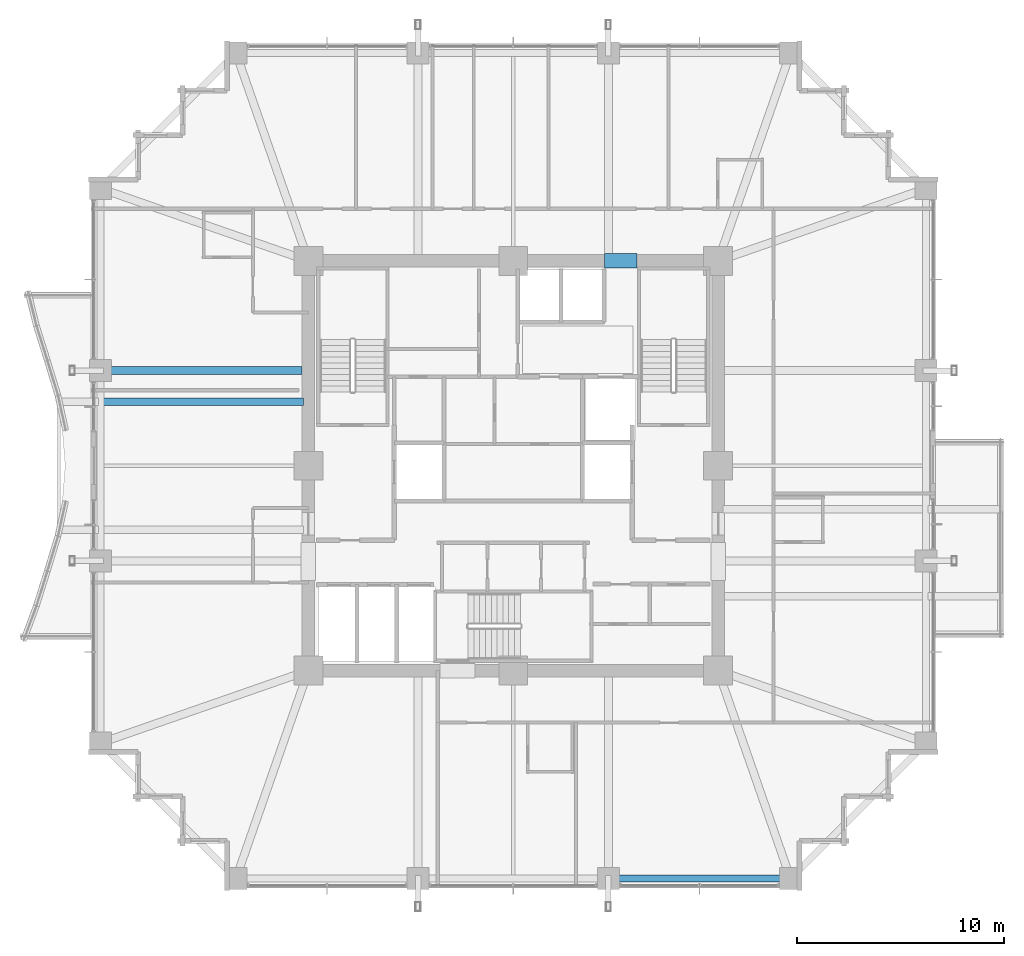
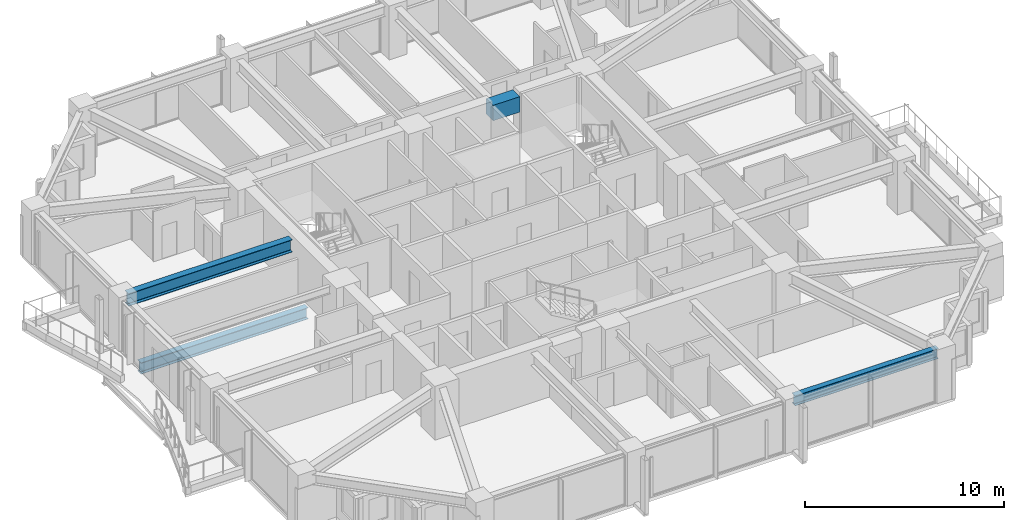
# One storey, part 10 of 37: 4 beams.
"""IFC4 building model written with IfcOpenShell, lengths in metres."""

from ifc_helpers import new_model, si_unit, direction, frame, origin, origin_2d, place, context, subcontext, project, spatial, rectangle, i_section, extrude, material, material_profile, profile_set, type_object, element, save


model = new_model("IFC4")

# Units and contexts
model_context = context("Model", 3, precision=1e-05, world=origin(), true_north=direction((0.0, 1.0)))
body_context = subcontext(model_context, "Body", "Model", "MODEL_VIEW")
ifc_project = project(units=[si_unit("LENGTHUNIT", "METRE"), si_unit("AREAUNIT", "SQUARE_METRE"), si_unit("VOLUMEUNIT", "CUBIC_METRE"), si_unit("PLANEANGLEUNIT", "RADIAN"), si_unit("MASSUNIT", "GRAM", prefix="KILO")], contexts=[model_context])

# Site, building, storey
site_placement = place(None, origin())
site = spatial("IfcSite", under=ifc_project, at=site_placement, CompositionType="ELEMENT")
building_placement = place(site_placement, origin())
building = spatial("IfcBuilding", under=site, at=building_placement, Name="Kolvaren Belvedere", CompositionType="ELEMENT")
storey_placement = place(building_placement, frame((0.0, 0.0, 82.10009765625)))
storey = spatial("IfcBuildingStorey", under=building, at=storey_placement, Name="L23", CompositionType="ELEMENT", Elevation=82.10009765625)

# Beams
ifc_material_1 = material(Name="Structural steel ASTM A992 Grade 50", Category="steel")
ifc_material_profile_1 = material_profile(ifc_material_1, i_section(OverallWidth=0.35498046875, OverallDepth=0.696044921875, WebThickness=0.015380859375, FlangeThickness=0.02490234375, FilletRadius=0.02197265625, at=origin_2d()), Name="W27X146")
ifc_profile_set_1 = profile_set([ifc_material_profile_1], Name="Structural steel ASTM A992 Grade 50")
beam_type_1 = type_object("IfcBeamType", Name="BM-GIRD-W27X146", PredefinedType="BEAM", material=ifc_profile_set_1)
beam_1_placement = place(storey_placement, frame((-10.139892578125, 3.10009765625, -0.568115234375), z_axis=(-1.0, 0.0, 0.0), x_axis=(0.0, -1.0, 0.0)))
element("IfcBeam", 1, at=beam_1_placement, inside=storey, type_object=beam_type_1, Name="L23 Balcony Interior Back-Span Girder BAL-W-2", PredefinedType="BEAM", context=body_context, shape_type="SweptSolid", body=[
    extrude(i_section(OverallWidth=0.35498046875, OverallDepth=0.696044921875, WebThickness=0.015380859375, FlangeThickness=0.02490234375, FilletRadius=0.02197265625, at=origin_2d()), origin(), (0.0, 0.0, 1.0), 9.715087890625),
])
ifc_material_2 = material(Name="Structural steel ASTM A992 Grade 50", Category="steel")
ifc_material_profile_2 = material_profile(ifc_material_2, i_section(OverallWidth=0.381103515625, OverallDepth=0.77294921875, WebThickness=0.0166015625, FlangeThickness=0.027099609375, FilletRadius=0.02392578125, at=origin_2d()), Name="W30X173")
ifc_profile_set_2 = profile_set([ifc_material_profile_2], Name="Structural steel ASTM A992 Grade 50")
beam_type_2 = type_object("IfcBeamType", Name="BM-GIRD-W30X173", PredefinedType="BEAM", material=ifc_profile_set_2)
beam_2_placement = place(storey_placement, frame((-10.199951171875, 4.60009765625, 2.693359375), z_axis=(-1.0, 0.0, 0.0), x_axis=(0.0, -1.0, 0.0)))
element("IfcBeam", 2, at=beam_2_placement, inside=storey, type_object=beam_type_2, Name="L23 West Radial Girder P", PredefinedType="BEAM", context=body_context, shape_type="SweptSolid", body=[
    extrude(i_section(OverallWidth=0.381103515625, OverallDepth=0.77294921875, WebThickness=0.0166015625, FlangeThickness=0.027099609375, FilletRadius=0.02392578125, at=origin_2d()), origin(), (0.0, 0.0, 1.0), 9.513916015625),
])
ifc_material_3 = material(Name="Concrete C60/75", Category="concrete")
ifc_material_profile_3 = material_profile(ifc_material_3, rectangle(XDim=0.699951171875, YDim=0.949951171875, at=origin_2d()), Name="RC 700X950")
ifc_profile_set_3 = profile_set([ifc_material_profile_3], Name="Concrete C60/75")
beam_type_3 = type_object("IfcBeamType", Name="BM-LINT-950", PredefinedType="LINTEL", material=ifc_profile_set_3)
beam_3_placement = place(storey_placement, frame((4.419921875, 9.89990234375, 2.60498046875), z_axis=(1.0, 0.0, 0.0), x_axis=(0.0, 1.0, 0.0)))
element("IfcBeam", 3, at=beam_3_placement, inside=storey, type_object=beam_type_3, Name="L23 North Core Coupling Lintel", PredefinedType="LINTEL", context=body_context, shape_type="SweptSolid", body=[
    extrude(rectangle(XDim=0.699951171875, YDim=0.949951171875, at=origin_2d()), origin(), (0.0, 0.0, 1.0), 1.56005859375),
])
ifc_material_4 = material(Name="Structural steel ASTM A992 Grade 50", Category="steel")
ifc_material_profile_4 = material_profile(ifc_material_4, i_section(OverallWidth=0.324951171875, OverallDepth=0.615966796875, WebThickness=0.013916015625, FlangeThickness=0.021484375, FilletRadius=0.02001953125, at=origin_2d()), Name="W24X117")
ifc_profile_set_4 = profile_set([ifc_material_profile_4], Name="Structural steel ASTM A992 Grade 50")
beam_type_4 = type_object("IfcBeamType", Name="BM-SPAN-W24X117", PredefinedType="SPANDREL", material=ifc_profile_set_4)
beam_4_placement = place(storey_placement, frame((4.836181640625, -19.949951171875, 2.77197265625), z_axis=(1.0, 0.0, 0.0), x_axis=(0.0, 1.0, 0.0)))
element("IfcBeam", 4, at=beam_4_placement, inside=storey, type_object=beam_type_4, Name="L23 Perimeter Spandrel S3-S4", PredefinedType="SPANDREL", context=body_context, shape_type="SweptSolid", body=[
    extrude(i_section(OverallWidth=0.324951171875, OverallDepth=0.615966796875, WebThickness=0.013916015625, FlangeThickness=0.021484375, FilletRadius=0.02001953125, at=origin_2d()), origin(), (0.0, 0.0, 1.0), 8.32763671875),
])

save(model, "model.ifc")
